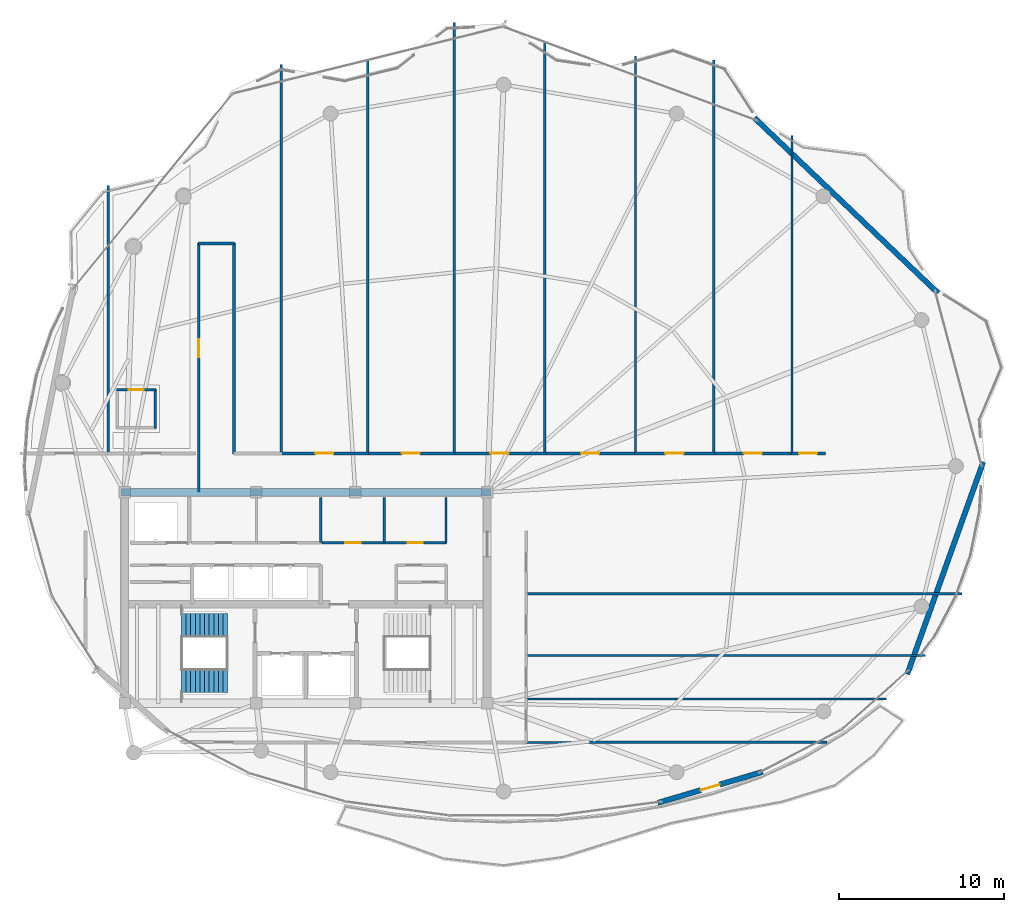
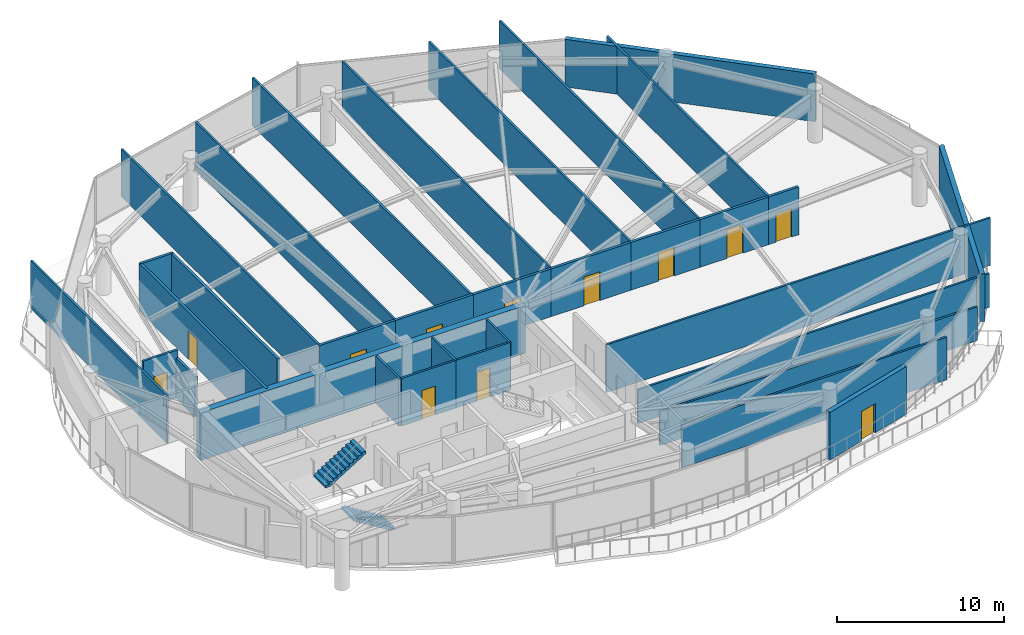
# One storey, part 25 of 29: 33 walls, 12 doors, 2 stair flights, 12 openings, 1 element without a shape of its own.
"""IFC4 building model written with IfcOpenShell, lengths in metres."""

from ifc_helpers import new_model, si_unit, direction, frame, frame_2d, origin, place, context, subcontext, project, spatial, polyline, rectangle, outline, extrude, material, layer, layer_set, type_object, element, fill, aggregate, save


model = new_model("IFC4")

# Units and contexts
model_context = context("Model", 3, precision=1e-05, world=origin(), true_north=direction((0.0, 1.0)))
body_context = subcontext(model_context, "Body", "Model", "MODEL_VIEW")
ifc_project = project(units=[si_unit("LENGTHUNIT", "METRE"), si_unit("AREAUNIT", "SQUARE_METRE"), si_unit("VOLUMEUNIT", "CUBIC_METRE"), si_unit("PLANEANGLEUNIT", "RADIAN"), si_unit("MASSUNIT", "GRAM", prefix="KILO")], contexts=[model_context])

# Site, building, storey
site_placement = place(None, origin())
site = spatial("IfcSite", under=ifc_project, at=site_placement, CompositionType="ELEMENT")
building_placement = place(site_placement, origin())
building = spatial("IfcBuilding", under=site, at=building_placement, Name="Kazevale Care Tower and Concert Hall", CompositionType="ELEMENT")
storey_placement = place(building_placement, frame((0.0, 0.0, 289.0)))
storey = spatial("IfcBuildingStorey", under=building, at=storey_placement, Name="L76", CompositionType="ELEMENT", Elevation=289.0)

# Wall
ifc_material_1 = material(Name="Acoustic Gypsum on Steel Stud", Category="steel")
ifc_layer_1 = layer(ifc_material_1, 0.139892578125)
ifc_layer_set_1 = layer_set([ifc_layer_1], Name="Acoustic Gypsum on Steel Stud")
wall_type_1 = type_object("IfcWallType", Name="Acoustic Care & Suite Partition 140", PredefinedType="PARTITIONING", material=ifc_layer_set_1)
wall_1_placement = place(storey_placement, frame((33.89990234375, 33.35009765625, 0.0), z_axis=(0.0, 0.0, 1.0), x_axis=(0.0, 1.0, 0.0)))
element("IfcWall", 1, at=wall_1_placement, inside=storey, type_object=wall_type_1, Name="wall:L76:c_rpl_e", PredefinedType="PARTITIONING", context=body_context, shape_type="SweptSolid", body=[
    extrude(rectangle(XDim=2.75, YDim=0.139892578125, at=frame_2d((1.375, 0.0))), origin(), (0.0, 0.0, 1.0), 3.47998046875),
])

# Wall, opening, door
wall_2_placement = place(storey_placement, frame((33.97998046875, 33.35009765625, 0.0), z_axis=(0.0, 0.0, 1.0), x_axis=(1.0, 0.0, 0.0)))
wall_2 = element("IfcWall", 2, at=wall_2_placement, inside=storey, type_object=wall_type_1, Name="wall:L76:c_rpm1_s", PredefinedType="PARTITIONING", context=body_context, shape_type="SweptSolid", body=[
    extrude(rectangle(XDim=3.77001953125, YDim=0.139892578125, at=frame_2d((1.885009765625, 0.0))), origin(), (0.0, 0.0, 1.0), 3.47998046875),
])
opening_1_placement = place(wall_2_placement, frame((1.425048828125, 0.0, 0.0)))
opening_1 = element("IfcOpeningElement", 3, at=opening_1_placement, cuts=wall_2, Name="Opening ID-900", PredefinedType="OPENING", context=body_context, shape_type="SweptSolid", body=[
    extrude(rectangle(XDim=0.919921875, YDim=2.10009765625, at=frame_2d((0.4599609375, 1.050048828125))), frame((0.0, 0.079833984375, 0.0), z_axis=(0.0, -1.0, 0.0), x_axis=(1.0, 0.0, 0.0)), (0.0, 0.0, 1.0), 0.159912109375),
])
ifc_material_2 = material(Name="Oak Timber Fire Leaf", Category="wood")
door_type_1 = type_object("IfcDoorType", Name="Bathroom & Service Door 920x2100", OperationType="NOTDEFINED", PredefinedType="DOOR", material=ifc_material_2)
door_1_placement = place(opening_1_placement, origin())
door_1 = element("IfcDoor", 4, at=door_1_placement, inside=storey, type_object=door_type_1, Name="door:L76:d_rpm1", OperationType="SINGLE_SWING_LEFT", OverallHeight=2.10009765625, OverallWidth=0.919921875, PredefinedType="DOOR", context=body_context, shape_type="SweptSolid", body=[
    extrude(rectangle(XDim=0.919921875, YDim=2.10009765625, at=frame_2d((0.4599609375, 1.050048828125))), frame((0.0, 0.02490234375, 0.0), z_axis=(0.0, -1.0, 0.0), x_axis=(1.0, 0.0, 0.0)), (0.0, 0.0, 1.0), 0.050048828125),
])
fill(opening_1, door_1)

wall_3_placement = place(storey_placement, frame((37.75, 33.35009765625, 0.0), z_axis=(0.0, 0.0, 1.0), x_axis=(1.0, 0.0, 0.0)))
wall_3 = element("IfcWall", 5, at=wall_3_placement, inside=storey, type_object=wall_type_1, Name="wall:L76:c_rpm2_s", PredefinedType="PARTITIONING", context=body_context, shape_type="SweptSolid", body=[
    extrude(rectangle(XDim=3.77001953125, YDim=0.139892578125, at=frame_2d((1.885009765625, 0.0))), origin(), (0.0, 0.0, 1.0), 3.47998046875),
])
opening_2_placement = place(wall_3_placement, frame((1.425048828125, 0.0, 0.0)))
opening_2 = element("IfcOpeningElement", 6, at=opening_2_placement, cuts=wall_3, Name="Opening ID-900", PredefinedType="OPENING", context=body_context, shape_type="SweptSolid", body=[
    extrude(rectangle(XDim=0.919921875, YDim=2.10009765625, at=frame_2d((0.4599609375, 1.050048828125))), frame((0.0, 0.079833984375, 0.0), z_axis=(0.0, -1.0, 0.0), x_axis=(1.0, 0.0, 0.0)), (0.0, 0.0, 1.0), 0.159912109375),
])
door_2_placement = place(opening_2_placement, origin())
door_2 = element("IfcDoor", 7, at=door_2_placement, inside=storey, type_object=door_type_1, Name="door:L76:d_rpm2", OperationType="SINGLE_SWING_RIGHT", OverallHeight=2.10009765625, OverallWidth=0.919921875, PredefinedType="DOOR", context=body_context, shape_type="SweptSolid", body=[
    extrude(rectangle(XDim=0.919921875, YDim=2.10009765625, at=frame_2d((0.4599609375, 1.050048828125))), frame((0.0, 0.02490234375, 0.0), z_axis=(0.0, -1.0, 0.0), x_axis=(1.0, 0.0, 0.0)), (0.0, 0.0, 1.0), 0.050048828125),
])
fill(opening_2, door_2)

# Walls
for number, where, z_axis, x_axis, name in (
    (8, (37.75, 33.35009765625, 0.0), (0.0, 0.0, 1.0), (0.0, 1.0, 0.0), "wall:L76:c_rpm_m"),
    (9, (41.5, 33.35009765625, 0.0), (0.0, 0.0, 1.0), (0.0, 1.0, 0.0), "wall:L76:c_rpm_e"),
):
    element("IfcWall", number, at=place(storey_placement, frame(where, z_axis=z_axis, x_axis=x_axis)), inside=storey, type_object=wall_type_1, Name=name, PredefinedType="PARTITIONING", context=body_context, shape_type="SweptSolid", body=[
        extrude(rectangle(XDim=2.75, YDim=0.139892578125, at=frame_2d((1.375, 0.0))), origin(), (0.0, 0.0, 1.0), 3.47998046875),
    ])
wall_4_placement = place(storey_placement, frame((21.0, 55.01904296875, 0.0), z_axis=(0.0, 0.0, 1.0), x_axis=(0.0, -1.0, 0.0)))
element("IfcWall", 10, at=wall_4_placement, inside=storey, type_object=wall_type_1, Name="wall:L76:auto_021", PredefinedType="PARTITIONING", context=body_context, shape_type="SweptSolid", body=[
    extrude(rectangle(XDim=16.27392578125, YDim=0.139892578125, at=frame_2d((8.136962890625, 0.0))), origin(), (0.0, 0.0, 1.0), 3.47998046875),
])
wall_5_placement = place(storey_placement, frame((31.5, 62.37890625, 0.0), z_axis=(0.0, 0.0, 1.0), x_axis=(0.0, -1.0, 0.0)))
element("IfcWall", 11, at=wall_5_placement, inside=storey, type_object=wall_type_1, Name="wall:L76:auto_023", PredefinedType="PARTITIONING", context=body_context, shape_type="SweptSolid", body=[
    extrude(rectangle(XDim=23.6337890625, YDim=0.139892578125, at=frame_2d((11.81689453125, 0.0))), origin(), (0.0, 0.0, 1.0), 3.47998046875),
])
wall_6_placement = place(storey_placement, frame((36.75, 62.62158203125, 0.0), z_axis=(0.0, 0.0, 1.0), x_axis=(0.0, -1.0, 0.0)))
element("IfcWall", 12, at=wall_6_placement, inside=storey, type_object=wall_type_1, Name="wall:L76:auto_024", PredefinedType="PARTITIONING", context=body_context, shape_type="SweptSolid", body=[
    extrude(rectangle(XDim=23.87646484375, YDim=0.139892578125, at=frame_2d((11.938232421875, 0.0))), origin(), (0.0, 0.0, 1.0), 3.47998046875),
])
wall_7_placement = place(storey_placement, frame((42.0, 64.905029296875, 0.0), z_axis=(0.0, 0.0, 1.0), x_axis=(0.0, -1.0, 0.0)))
element("IfcWall", 13, at=wall_7_placement, inside=storey, type_object=wall_type_1, Name="wall:L76:auto_025", PredefinedType="PARTITIONING", context=body_context, shape_type="SweptSolid", body=[
    extrude(rectangle(XDim=26.159912109375, YDim=0.139892578125, at=frame_2d((13.080078125, 0.0))), origin(), (0.0, 0.0, 1.0), 3.47998046875),
])
wall_8_placement = place(storey_placement, frame((47.5, 63.71435546875, 0.0), z_axis=(0.0, 0.0, 1.0), x_axis=(0.0, -1.0, 0.0)))
element("IfcWall", 14, at=wall_8_placement, inside=storey, type_object=wall_type_1, Name="wall:L76:auto_026", PredefinedType="PARTITIONING", context=body_context, shape_type="SweptSolid", body=[
    extrude(rectangle(XDim=24.96923828125, YDim=0.139892578125, at=frame_2d((12.484619140625, 0.0))), origin(), (0.0, 0.0, 1.0), 3.47998046875),
])
wall_9_placement = place(storey_placement, frame((53.0, 62.89208984375, 0.0), z_axis=(0.0, 0.0, 1.0), x_axis=(0.0, -1.0, 0.0)))
element("IfcWall", 15, at=wall_9_placement, inside=storey, type_object=wall_type_1, Name="wall:L76:auto_027", PredefinedType="PARTITIONING", context=body_context, shape_type="SweptSolid", body=[
    extrude(rectangle(XDim=24.14697265625, YDim=0.139892578125, at=frame_2d((12.073486328125, 0.0))), origin(), (0.0, 0.0, 1.0), 3.47998046875),
])
wall_10_placement = place(storey_placement, frame((57.75, 62.653076171875, 0.0), z_axis=(0.0, 0.0, 1.0), x_axis=(0.0, -1.0, 0.0)))
element("IfcWall", 16, at=wall_10_placement, inside=storey, type_object=wall_type_1, Name="wall:L76:auto_028", PredefinedType="PARTITIONING", context=body_context, shape_type="SweptSolid", body=[
    extrude(rectangle(XDim=23.907958984375, YDim=0.139892578125, at=frame_2d((11.9541015625, 0.0))), origin(), (0.0, 0.0, 1.0), 3.47998046875),
])
wall_11_placement = place(storey_placement, frame((62.5, 58.06396484375, 0.0), z_axis=(0.0, 0.0, 1.0), x_axis=(0.0, -1.0, 0.0)))
element("IfcWall", 17, at=wall_11_placement, inside=storey, type_object=wall_type_1, Name="wall:L76:auto_029", PredefinedType="PARTITIONING", context=body_context, shape_type="SweptSolid", body=[
    extrude(rectangle(XDim=19.31884765625, YDim=0.139892578125, at=frame_2d((9.659423828125, 0.0))), origin(), (0.0, 0.0, 1.0), 3.47998046875),
])
wall_12_placement = place(storey_placement, frame((46.344970703125, 23.860107421875, 0.0), z_axis=(0.0, 0.0, 1.0), x_axis=(1.0, 0.0, 0.0)))
element("IfcWall", 18, at=wall_12_placement, inside=storey, type_object=wall_type_1, Name="wall:L76:auto_030", PredefinedType="PARTITIONING", context=body_context, shape_type="SweptSolid", body=[
    extrude(rectangle(XDim=21.89794921875, YDim=0.139892578125, at=frame_2d((10.948974609375, 0.0))), origin(), (0.0, 0.0, 1.0), 2.469970703125),
])
wall_13_placement = place(storey_placement, frame((64.62109375, 21.242919921875, 0.0), z_axis=(0.0, 0.0, 1.0), x_axis=(-0.999999524525, -0.000975166183, 0.0)))
element("IfcWall", 19, at=wall_13_placement, inside=storey, type_object=wall_type_1, Name="wall:L76:auto_031", PredefinedType="PARTITIONING", context=body_context, shape_type="SweptSolid", body=[
    extrude(rectangle(XDim=18.276123046875, YDim=0.139892578125, at=frame_2d((9.13818359375, 0.0))), origin(), (0.0, 0.0, 1.0), 3.115966796875),
])
wall_14_placement = place(storey_placement, frame((46.344970703125, 26.5, 0.0), z_axis=(0.0, 0.0, 1.0), x_axis=(1.0, 0.0, 0.0)))
element("IfcWall", 20, at=wall_14_placement, inside=storey, type_object=wall_type_1, Name="wall:L76:auto_032", PredefinedType="PARTITIONING", context=body_context, shape_type="SweptSolid", body=[
    extrude(rectangle(XDim=24.27099609375, YDim=0.139892578125, at=frame_2d((12.135498046875, 0.0))), origin(), (0.0, 0.0, 1.0), 2.469970703125),
])
wall_15_placement = place(storey_placement, frame((46.344970703125, 30.25, 0.0), z_axis=(0.0, 0.0, 1.0), x_axis=(1.0, 0.0, 0.0)))
element("IfcWall", 21, at=wall_15_placement, inside=storey, type_object=wall_type_1, Name="wall:L76:auto_033", PredefinedType="PARTITIONING", context=body_context, shape_type="SweptSolid", body=[
    extrude(rectangle(XDim=26.489990234375, YDim=0.139892578125, at=frame_2d((13.2451171875, 0.0))), origin(), (0.0, 0.0, 1.0), 3.47998046875),
])
ifc_material_3 = material(Name="Concrete C50", Category="concrete")
ifc_layer_2 = layer(ifc_material_3, 0.449951171875)
ifc_layer_set_2 = layer_set([ifc_layer_2], Name="Concrete C50")
wall_type_2 = type_object("IfcWallType", Name="Core Shear Wall 450 C50", PredefinedType="SHEAR", material=ifc_layer_set_2)
wall_16_placement = place(storey_placement, frame((21.77490234375, 36.39990234375, 0.0), z_axis=(0.0, 0.0, 1.0), x_axis=(1.0, 0.0, 0.0)))
element("IfcWall", 22, at=wall_16_placement, inside=storey, type_object=wall_type_2, Name="wall:L76:core:N", PredefinedType="SHEAR", context=body_context, shape_type="SweptSolid", body=[
    extrude(rectangle(XDim=22.4501953125, YDim=0.449951171875, at=frame_2d((11.22509765625, 0.0))), origin(), (0.0, 0.0, 1.0), 3.47998046875),
])

# Wall, opening, door
ifc_material_4 = material(Name="Concrete C40 and Acoustic Gypsum", Category="concrete")
ifc_layer_3 = layer(ifc_material_4, 0.179931640625)
ifc_layer_set_3 = layer_set([ifc_layer_3], Name="Concrete C40 and Acoustic Gypsum")
wall_type_3 = type_object("IfcWallType", Name="Fire-Rated Corridor & Party Wall 180", PredefinedType="PARTITIONING", material=ifc_layer_set_3)
wall_17_placement = place(storey_placement, frame((26.5, 36.409912109375, 0.0), z_axis=(0.0, 0.0, 1.0), x_axis=(0.0, 1.0, 0.0)))
wall_17 = element("IfcWall", 23, at=wall_17_placement, inside=storey, type_object=wall_type_3, Name="wall:L76:auto_003", PredefinedType="PARTITIONING", context=body_context, shape_type="SweptSolid", body=[
    extrude(rectangle(XDim=15.1201171875, YDim=0.179931640625, at=frame_2d((7.56005859375, 0.0))), origin(), (0.0, 0.0, 1.0), 3.47998046875),
])
opening_3_placement = place(wall_17_placement, frame((8.177978515625, 0.0, 0.0)))
opening_3 = element("IfcOpeningElement", 24, at=opening_3_placement, cuts=wall_17, Name="Opening ID-1100", PredefinedType="OPENING", context=body_context, shape_type="SweptSolid", body=[
    extrude(rectangle(XDim=1.10009765625, YDim=2.10009765625, at=frame_2d((0.550048828125, 1.050048828125))), frame((0.0, 0.099853515625, 0.0), z_axis=(0.0, -1.0, 0.0), x_axis=(1.0, 0.0, 0.0)), (0.0, 0.0, 1.0), 0.199951171875),
])
door_type_2 = type_object("IfcDoorType", Name="Care Bedroom Accessible Door 1100x2100", OperationType="NOTDEFINED", PredefinedType="DOOR", material=ifc_material_2)
door_3_placement = place(opening_3_placement, origin())
door_3 = element("IfcDoor", 25, at=door_3_placement, inside=storey, type_object=door_type_2, Name="door:L76:ad_003", OperationType="SINGLE_SWING_LEFT", OverallHeight=2.10009765625, OverallWidth=1.10009765625, PredefinedType="DOOR", context=body_context, shape_type="SweptSolid", body=[
    extrude(rectangle(XDim=1.10009765625, YDim=2.10009765625, at=frame_2d((0.550048828125, 1.050048828125))), frame((0.0, 0.02490234375, 0.0), z_axis=(0.0, -1.0, 0.0), x_axis=(1.0, 0.0, 0.0)), (0.0, 0.0, 1.0), 0.050048828125),
])
fill(opening_3, door_3)

# Walls
wall_18_placement = place(storey_placement, frame((28.64990234375, 51.530029296875, 0.0), z_axis=(0.0, 0.0, 1.0), x_axis=(0.0, -1.0, 0.0)))
element("IfcWall", 26, at=wall_18_placement, inside=storey, type_object=wall_type_3, Name="wall:L76:auto_004", PredefinedType="PARTITIONING", context=body_context, shape_type="SweptSolid", body=[
    extrude(rectangle(XDim=12.784912109375, YDim=0.179931640625, at=frame_2d((6.392578125, 0.0))), origin(), (0.0, 0.0, 1.0), 3.47998046875),
])
wall_19_placement = place(storey_placement, frame((26.469970703125, 51.5, 0.0), z_axis=(0.0, 0.0, 1.0), x_axis=(1.0, 0.0, 0.0)))
element("IfcWall", 27, at=wall_19_placement, inside=storey, type_object=wall_type_3, Name="wall:L76:auto_006", PredefinedType="PARTITIONING", context=body_context, shape_type="SweptSolid", body=[
    extrude(rectangle(XDim=2.2099609375, YDim=0.179931640625, at=frame_2d((1.10498046875, 0.0))), origin(), (0.0, 0.0, 1.0), 3.47998046875),
])

# Wall, opening, door
wall_20_placement = place(storey_placement, frame((31.43505859375, 38.77490234375, 0.0), z_axis=(0.0, 0.0, 1.0), x_axis=(1.0, 0.0, 0.0)))
wall_20 = element("IfcWall", 28, at=wall_20_placement, inside=storey, type_object=wall_type_3, Name="wall:L76:auto_007", PredefinedType="PARTITIONING", context=body_context, shape_type="SweptSolid", body=[
    extrude(rectangle(XDim=5.3798828125, YDim=0.179931640625, at=frame_2d((2.68994140625, 0.0))), origin(), (0.0, 0.0, 1.0), 3.47998046875),
])
opening_4_placement = place(wall_20_placement, frame((2.139892578125, 0.0, 0.0)))
opening_4 = element("IfcOpeningElement", 29, at=opening_4_placement, cuts=wall_20, Name="Opening ID-1100", PredefinedType="OPENING", context=body_context, shape_type="SweptSolid", body=[
    extrude(rectangle(XDim=1.10009765625, YDim=2.10009765625, at=frame_2d((0.550048828125, 1.050048828125))), frame((0.0, 0.099853515625, 0.0), z_axis=(0.0, -1.0, 0.0), x_axis=(1.0, 0.0, 0.0)), (0.0, 0.0, 1.0), 0.199951171875),
])
door_4_placement = place(opening_4_placement, origin())
door_4 = element("IfcDoor", 30, at=door_4_placement, inside=storey, type_object=door_type_2, Name="door:L76:ad_007", OperationType="SINGLE_SWING_LEFT", OverallHeight=2.10009765625, OverallWidth=1.10009765625, PredefinedType="DOOR", context=body_context, shape_type="SweptSolid", body=[
    extrude(rectangle(XDim=1.10009765625, YDim=2.10009765625, at=frame_2d((0.550048828125, 1.050048828125))), frame((0.0, 0.02490234375, 0.0), z_axis=(0.0, -1.0, 0.0), x_axis=(1.0, 0.0, 0.0)), (0.0, 0.0, 1.0), 0.050048828125),
])
fill(opening_4, door_4)

wall_21_placement = place(storey_placement, frame((36.68505859375, 38.77490234375, 0.0), z_axis=(0.0, 0.0, 1.0), x_axis=(1.0, 0.0, 0.0)))
wall_21 = element("IfcWall", 31, at=wall_21_placement, inside=storey, type_object=wall_type_3, Name="wall:L76:auto_008", PredefinedType="PARTITIONING", context=body_context, shape_type="SweptSolid", body=[
    extrude(rectangle(XDim=5.3798828125, YDim=0.179931640625, at=frame_2d((2.68994140625, 0.0))), origin(), (0.0, 0.0, 1.0), 3.47998046875),
])
opening_5_placement = place(wall_21_placement, frame((2.139892578125, 0.0, 0.0)))
opening_5 = element("IfcOpeningElement", 32, at=opening_5_placement, cuts=wall_21, Name="Opening ID-1100", PredefinedType="OPENING", context=body_context, shape_type="SweptSolid", body=[
    extrude(rectangle(XDim=1.10009765625, YDim=2.10009765625, at=frame_2d((0.550048828125, 1.050048828125))), frame((0.0, 0.099853515625, 0.0), z_axis=(0.0, -1.0, 0.0), x_axis=(1.0, 0.0, 0.0)), (0.0, 0.0, 1.0), 0.199951171875),
])
door_5_placement = place(opening_5_placement, origin())
door_5 = element("IfcDoor", 33, at=door_5_placement, inside=storey, type_object=door_type_2, Name="door:L76:ad_008", OperationType="SINGLE_SWING_LEFT", OverallHeight=2.10009765625, OverallWidth=1.10009765625, PredefinedType="DOOR", context=body_context, shape_type="SweptSolid", body=[
    extrude(rectangle(XDim=1.10009765625, YDim=2.10009765625, at=frame_2d((0.550048828125, 1.050048828125))), frame((0.0, 0.02490234375, 0.0), z_axis=(0.0, -1.0, 0.0), x_axis=(1.0, 0.0, 0.0)), (0.0, 0.0, 1.0), 0.050048828125),
])
fill(opening_5, door_5)

wall_22_placement = place(storey_placement, frame((41.93505859375, 38.77490234375, 0.0), z_axis=(0.0, 0.0, 1.0), x_axis=(1.0, 0.0, 0.0)))
wall_22 = element("IfcWall", 34, at=wall_22_placement, inside=storey, type_object=wall_type_3, Name="wall:L76:auto_009", PredefinedType="PARTITIONING", context=body_context, shape_type="SweptSolid", body=[
    extrude(rectangle(XDim=5.6298828125, YDim=0.179931640625, at=frame_2d((2.81494140625, 0.0))), origin(), (0.0, 0.0, 1.0), 3.47998046875),
])
opening_6_placement = place(wall_22_placement, frame((2.264892578125, 0.0, 0.0)))
opening_6 = element("IfcOpeningElement", 35, at=opening_6_placement, cuts=wall_22, Name="Opening ID-1100", PredefinedType="OPENING", context=body_context, shape_type="SweptSolid", body=[
    extrude(rectangle(XDim=1.10009765625, YDim=2.10009765625, at=frame_2d((0.550048828125, 1.050048828125))), frame((0.0, 0.099853515625, 0.0), z_axis=(0.0, -1.0, 0.0), x_axis=(1.0, 0.0, 0.0)), (0.0, 0.0, 1.0), 0.199951171875),
])
door_6_placement = place(opening_6_placement, origin())
door_6 = element("IfcDoor", 36, at=door_6_placement, inside=storey, type_object=door_type_2, Name="door:L76:ad_009", OperationType="SINGLE_SWING_LEFT", OverallHeight=2.10009765625, OverallWidth=1.10009765625, PredefinedType="DOOR", context=body_context, shape_type="SweptSolid", body=[
    extrude(rectangle(XDim=1.10009765625, YDim=2.10009765625, at=frame_2d((0.550048828125, 1.050048828125))), frame((0.0, 0.02490234375, 0.0), z_axis=(0.0, -1.0, 0.0), x_axis=(1.0, 0.0, 0.0)), (0.0, 0.0, 1.0), 0.050048828125),
])
fill(opening_6, door_6)

wall_23_placement = place(storey_placement, frame((47.43505859375, 38.77490234375, 0.0), z_axis=(0.0, 0.0, 1.0), x_axis=(1.0, 0.0, 0.0)))
wall_23 = element("IfcWall", 37, at=wall_23_placement, inside=storey, type_object=wall_type_3, Name="wall:L76:auto_010", PredefinedType="PARTITIONING", context=body_context, shape_type="SweptSolid", body=[
    extrude(rectangle(XDim=5.6298828125, YDim=0.179931640625, at=frame_2d((2.81494140625, 0.0))), origin(), (0.0, 0.0, 1.0), 3.47998046875),
])
opening_7_placement = place(wall_23_placement, frame((2.264892578125, 0.0, 0.0)))
opening_7 = element("IfcOpeningElement", 38, at=opening_7_placement, cuts=wall_23, Name="Opening ID-1100", PredefinedType="OPENING", context=body_context, shape_type="SweptSolid", body=[
    extrude(rectangle(XDim=1.10009765625, YDim=2.10009765625, at=frame_2d((0.550048828125, 1.050048828125))), frame((0.0, 0.099853515625, 0.0), z_axis=(0.0, -1.0, 0.0), x_axis=(1.0, 0.0, 0.0)), (0.0, 0.0, 1.0), 0.199951171875),
])
door_7_placement = place(opening_7_placement, origin())
door_7 = element("IfcDoor", 39, at=door_7_placement, inside=storey, type_object=door_type_2, Name="door:L76:ad_010", OperationType="SINGLE_SWING_LEFT", OverallHeight=2.10009765625, OverallWidth=1.10009765625, PredefinedType="DOOR", context=body_context, shape_type="SweptSolid", body=[
    extrude(rectangle(XDim=1.10009765625, YDim=2.10009765625, at=frame_2d((0.550048828125, 1.050048828125))), frame((0.0, 0.02490234375, 0.0), z_axis=(0.0, -1.0, 0.0), x_axis=(1.0, 0.0, 0.0)), (0.0, 0.0, 1.0), 0.050048828125),
])
fill(opening_7, door_7)

wall_24_placement = place(storey_placement, frame((52.93505859375, 38.77490234375, 0.0), z_axis=(0.0, 0.0, 1.0), x_axis=(1.0, 0.0, 0.0)))
wall_24 = element("IfcWall", 40, at=wall_24_placement, inside=storey, type_object=wall_type_3, Name="wall:L76:auto_011", PredefinedType="PARTITIONING", context=body_context, shape_type="SweptSolid", body=[
    extrude(rectangle(XDim=4.8798828125, YDim=0.179931640625, at=frame_2d((2.43994140625, 0.0))), origin(), (0.0, 0.0, 1.0), 3.47998046875),
])
opening_8_placement = place(wall_24_placement, frame((1.889892578125, 0.0, 0.0)))
opening_8 = element("IfcOpeningElement", 41, at=opening_8_placement, cuts=wall_24, Name="Opening ID-1100", PredefinedType="OPENING", context=body_context, shape_type="SweptSolid", body=[
    extrude(rectangle(XDim=1.10009765625, YDim=2.10009765625, at=frame_2d((0.550048828125, 1.050048828125))), frame((0.0, 0.099853515625, 0.0), z_axis=(0.0, -1.0, 0.0), x_axis=(1.0, 0.0, 0.0)), (0.0, 0.0, 1.0), 0.199951171875),
])
door_8_placement = place(opening_8_placement, origin())
door_8 = element("IfcDoor", 42, at=door_8_placement, inside=storey, type_object=door_type_2, Name="door:L76:ad_011", OperationType="SINGLE_SWING_LEFT", OverallHeight=2.10009765625, OverallWidth=1.10009765625, PredefinedType="DOOR", context=body_context, shape_type="SweptSolid", body=[
    extrude(rectangle(XDim=1.10009765625, YDim=2.10009765625, at=frame_2d((0.550048828125, 1.050048828125))), frame((0.0, 0.02490234375, 0.0), z_axis=(0.0, -1.0, 0.0), x_axis=(1.0, 0.0, 0.0)), (0.0, 0.0, 1.0), 0.050048828125),
])
fill(opening_8, door_8)

wall_25_placement = place(storey_placement, frame((57.68505859375, 38.77490234375, 0.0), z_axis=(0.0, 0.0, 1.0), x_axis=(1.0, 0.0, 0.0)))
wall_25 = element("IfcWall", 43, at=wall_25_placement, inside=storey, type_object=wall_type_3, Name="wall:L76:auto_012", PredefinedType="PARTITIONING", context=body_context, shape_type="SweptSolid", body=[
    extrude(rectangle(XDim=4.8798828125, YDim=0.179931640625, at=frame_2d((2.43994140625, 0.0))), origin(), (0.0, 0.0, 1.0), 3.47998046875),
])
opening_9_placement = place(wall_25_placement, frame((1.889892578125, 0.0, 0.0)))
opening_9 = element("IfcOpeningElement", 44, at=opening_9_placement, cuts=wall_25, Name="Opening ID-1100", PredefinedType="OPENING", context=body_context, shape_type="SweptSolid", body=[
    extrude(rectangle(XDim=1.10009765625, YDim=2.10009765625, at=frame_2d((0.550048828125, 1.050048828125))), frame((0.0, 0.099853515625, 0.0), z_axis=(0.0, -1.0, 0.0), x_axis=(1.0, 0.0, 0.0)), (0.0, 0.0, 1.0), 0.199951171875),
])
door_9_placement = place(opening_9_placement, origin())
door_9 = element("IfcDoor", 45, at=door_9_placement, inside=storey, type_object=door_type_2, Name="door:L76:ad_012", OperationType="SINGLE_SWING_LEFT", OverallHeight=2.10009765625, OverallWidth=1.10009765625, PredefinedType="DOOR", context=body_context, shape_type="SweptSolid", body=[
    extrude(rectangle(XDim=1.10009765625, YDim=2.10009765625, at=frame_2d((0.550048828125, 1.050048828125))), frame((0.0, 0.02490234375, 0.0), z_axis=(0.0, -1.0, 0.0), x_axis=(1.0, 0.0, 0.0)), (0.0, 0.0, 1.0), 0.050048828125),
])
fill(opening_9, door_9)

wall_26_placement = place(storey_placement, frame((62.43505859375, 38.77490234375, 0.0), z_axis=(0.0, 0.0, 1.0), x_axis=(1.0, 0.0, 0.0)))
wall_26 = element("IfcWall", 46, at=wall_26_placement, inside=storey, type_object=wall_type_3, Name="wall:L76:auto_013", PredefinedType="PARTITIONING", context=body_context, shape_type="SweptSolid", body=[
    extrude(rectangle(XDim=2.094970703125, YDim=0.179931640625, at=frame_2d((1.04736328125, 0.0))), origin(), (0.0, 0.0, 1.0), 3.47998046875),
])
opening_10_placement = place(wall_26_placement, frame((0.498046875, 0.0, 0.0)))
opening_10 = element("IfcOpeningElement", 47, at=opening_10_placement, cuts=wall_26, Name="Opening ID-1100", PredefinedType="OPENING", context=body_context, shape_type="SweptSolid", body=[
    extrude(rectangle(XDim=1.10009765625, YDim=2.10009765625, at=frame_2d((0.550048828125, 1.050048828125))), frame((0.0, 0.099853515625, 0.0), z_axis=(0.0, -1.0, 0.0), x_axis=(1.0, 0.0, 0.0)), (0.0, 0.0, 1.0), 0.199951171875),
])
door_10_placement = place(opening_10_placement, origin())
door_10 = element("IfcDoor", 48, at=door_10_placement, inside=storey, type_object=door_type_2, Name="door:L76:ad_013", OperationType="SINGLE_SWING_LEFT", OverallHeight=2.10009765625, OverallWidth=1.10009765625, PredefinedType="DOOR", context=body_context, shape_type="SweptSolid", body=[
    extrude(rectangle(XDim=1.10009765625, YDim=2.10009765625, at=frame_2d((0.550048828125, 1.050048828125))), frame((0.0, 0.02490234375, 0.0), z_axis=(0.0, -1.0, 0.0), x_axis=(1.0, 0.0, 0.0)), (0.0, 0.0, 1.0), 0.050048828125),
])
fill(opening_10, door_10)

ifc_layer_4 = layer(ifc_material_1, 0.159912109375)
ifc_layer_set_4 = layer_set([ifc_layer_4], Name="Acoustic Gypsum on Steel Stud")
wall_type_4 = type_object("IfcWallType", Name="Moisture-Resistant Bathroom Plumbing Wall 160", PredefinedType="PLUMBINGWALL", material=ifc_layer_set_4)
wall_27_placement = place(storey_placement, frame((21.510009765625, 42.625, 0.0), z_axis=(0.0, 0.0, 1.0), x_axis=(1.0, 0.0, 0.0)))
wall_27 = element("IfcWall", 49, at=wall_27_placement, inside=storey, type_object=wall_type_4, Name="wall:L76:nb2a_ens_wn", PredefinedType="PLUMBINGWALL", context=body_context, shape_type="SweptSolid", body=[
    extrude(rectangle(XDim=2.3798828125, YDim=0.159912109375, at=frame_2d((1.18994140625, 0.0))), origin(), (0.0, 0.0, 1.0), 3.47998046875),
])
opening_11_placement = place(wall_27_placement, frame((0.739990234375, 0.0, 0.0)))
opening_11 = element("IfcOpeningElement", 50, at=opening_11_placement, cuts=wall_27, Name="Opening ID-900", PredefinedType="OPENING", context=body_context, shape_type="SweptSolid", body=[
    extrude(rectangle(XDim=0.919921875, YDim=2.10009765625, at=frame_2d((0.4599609375, 1.050048828125))), frame((0.0, 0.08984375, 0.0), z_axis=(0.0, -1.0, 0.0), x_axis=(1.0, 0.0, 0.0)), (0.0, 0.0, 1.0), 0.179931640625),
])
door_11_placement = place(opening_11_placement, origin())
door_11 = element("IfcDoor", 51, at=door_11_placement, inside=storey, type_object=door_type_1, Name="door:L76:nb2a_ens_d", OperationType="SINGLE_SWING_LEFT", OverallHeight=2.10009765625, OverallWidth=0.919921875, PredefinedType="DOOR", context=body_context, shape_type="SweptSolid", body=[
    extrude(rectangle(XDim=0.919921875, YDim=2.10009765625, at=frame_2d((0.4599609375, 1.050048828125))), frame((0.0, 0.02490234375, 0.0), z_axis=(0.0, -1.0, 0.0), x_axis=(1.0, 0.0, 0.0)), (0.0, 0.0, 1.0), 0.050048828125),
])
fill(opening_11, door_11)

# Walls
wall_28_placement = place(storey_placement, frame((23.85009765625, 40.284912109375, 0.0), z_axis=(0.0, 0.0, 1.0), x_axis=(0.0, 1.0, 0.0)))
element("IfcWall", 52, at=wall_28_placement, inside=storey, type_object=wall_type_4, Name="wall:L76:nb2a_ens_we", PredefinedType="PLUMBINGWALL", context=body_context, shape_type="SweptSolid", body=[
    extrude(rectangle(XDim=2.380126953125, YDim=0.159912109375, at=frame_2d((1.18994140625, 0.0))), origin(), (0.0, 0.0, 1.0), 2.926025390625),
])
ifc_material_5 = material(Name="Concrete C40 with Honed Limestone Cladding", Category="masonry")
ifc_layer_5 = layer(ifc_material_5, 0.320068359375)
ifc_layer_set_5 = layer_set([ifc_layer_5], Name="Concrete C40 with Honed Limestone Cladding")
wall_type_5 = type_object("IfcWallType", Name="Tower Honed Limestone Spandrel Wall 320", PredefinedType="STANDARD", material=ifc_layer_set_5)
wall_29_placement = place(storey_placement, frame((74.10791015625, 38.2451171875, 0.0), z_axis=(0.0, 0.0, 1.0), x_axis=(-0.337073777429, -0.941478235845, 0.0)))
element("IfcWall", 53, at=wall_29_placement, inside=storey, type_object=wall_type_5, Name="wall:cw:L76:f01", PredefinedType="STANDARD", context=body_context, shape_type="SweptSolid", body=[
    extrude(rectangle(XDim=13.67333984375, YDim=0.320068359375, at=frame_2d((6.836669921875, 0.0))), origin(), (0.0, 0.0, 1.0), 3.47998046875),
])

# Wall, opening, door
wall_30_placement = place(storey_placement, frame((60.718017578125, 19.43896484375, 0.0), z_axis=(0.0, 0.0, 1.0), x_axis=(-0.959026574291, -0.283316130503, 0.0)))
wall_30 = element("IfcWall", 54, at=wall_30_placement, inside=storey, type_object=wall_type_5, Name="wall:L76:bal_host", PredefinedType="STANDARD", context=body_context, shape_type="SweptSolid", body=[
    extrude(rectangle(XDim=6.6318359375, YDim=0.320068359375, at=frame_2d((3.31591796875, 0.0))), origin(), (0.0, 0.0, 1.0), 3.47998046875),
])
opening_12_placement = place(wall_30_placement, frame((2.716064453125, 0.0, 0.0)))
opening_12 = element("IfcOpeningElement", 55, at=opening_12_placement, cuts=wall_30, Name="Opening BD-1200", PredefinedType="OPENING", context=body_context, shape_type="SweptSolid", body=[
    extrude(rectangle(XDim=1.199951171875, YDim=2.14990234375, at=frame_2d((0.60009765625, 1.074951171875))), frame((0.0, 0.169921875, 0.0), z_axis=(0.0, -1.0, 0.0), x_axis=(1.0, 0.0, 0.0)), (0.0, 0.0, 1.0), 0.340087890625),
])
ifc_material_6 = material(Name="Aluminium 6063-T6 and Low-E Glass", Category="aluminium")
door_type_3 = type_object("IfcDoorType", Name="Sheltered Balcony Glazed Door 1200x2150", OperationType="NOTDEFINED", PredefinedType="DOOR", material=ifc_material_6)
door_12_placement = place(opening_12_placement, origin())
door_12 = element("IfcDoor", 56, at=door_12_placement, inside=storey, type_object=door_type_3, Name="door:L76:BD-1", OperationType="SINGLE_SWING_LEFT", OverallHeight=2.14990234375, OverallWidth=1.199951171875, PredefinedType="DOOR", context=body_context, shape_type="SweptSolid", body=[
    extrude(rectangle(XDim=1.199951171875, YDim=2.14990234375, at=frame_2d((0.60009765625, 1.074951171875))), frame((0.0, 0.02490234375, 0.0), z_axis=(0.0, -1.0, 0.0), x_axis=(1.0, 0.0, 0.0)), (0.0, 0.0, 1.0), 0.050048828125),
])
fill(opening_12, door_12)

# Wall
wall_31_placement = place(storey_placement, frame((60.218994140625, 59.1298828125, 0.0), z_axis=(0.0, 0.0, 1.0), x_axis=(0.723493659852, -0.690331025056, 0.0)))
element("IfcWall", 57, at=wall_31_placement, inside=storey, type_object=wall_type_5, Name="wall:cw:L76:f17", PredefinedType="STANDARD", context=body_context, shape_type="SweptSolid", body=[
    extrude(rectangle(XDim=15.408447265625, YDim=0.320068359375, at=frame_2d((7.7041015625, 0.0))), origin(), (0.0, 0.0, 1.0), 3.47998046875),
])

# Stair, stair flights
ifc_material_7 = material(Name="Concrete C40", Category="concrete")
stair_type = type_object("IfcStairType", Name="Exit Stair Assembly ST1-U", PredefinedType="HALF_TURN_STAIR", material=ifc_material_7)
stair_placement = place(storey_placement, origin())
stair = element("IfcStair", 58, at=stair_placement, inside=storey, type_object=stair_type, Name="stair:L76:ST1", PredefinedType="HALF_TURN_STAIR")
ifc_layer_6 = layer(ifc_material_7, 0.159912109375)
ifc_layer_set_6 = layer_set([ifc_layer_6], Name="Concrete C40")
stair_flight_type = type_object("IfcStairFlightType", Name="Exit Stair Flight ST1-U", PredefinedType="STRAIGHT", material=ifc_layer_set_6)
stair_flight_1_placement = place(storey_placement, frame((28.25, 24.969970703125, 0.0), z_axis=(0.0, 0.0, 1.0), x_axis=(-1.0, 0.0, 0.0)))
stair_flight_1 = element("IfcStairFlight", 59, at=stair_flight_1_placement, type_object=stair_flight_type, Name="ST1-U flight 1", NumberOfRisers=11, NumberOfTreads=10, PredefinedType="STRAIGHT", RiserHeight=0.172727, TreadLength=0.28, context=body_context, shape_type="SweptSolid", body=[
    extrude(outline(polyline([(0.0, 0.0), (0.0, 0.172607421875), (0.280029296875, 0.172607421875), (0.280029296875, 0.345458984375), (0.56005859375, 0.345458984375), (0.56005859375, 0.51806640625), (0.840087890625, 0.51806640625), (0.840087890625, 0.69091796875), (1.1201171875, 0.69091796875), (1.1201171875, 0.863525390625), (1.39990234375, 0.863525390625), (1.39990234375, 1.036376953125), (1.679931640625, 1.036376953125), (1.679931640625, 1.208984375), (1.9599609375, 1.208984375), (1.9599609375, 1.3818359375), (2.239990234375, 1.3818359375), (2.239990234375, 1.554443359375), (2.52001953125, 1.554443359375), (2.52001953125, 1.727294921875), (2.800048828125, 1.727294921875), (2.800048828125, 1.89990234375), (2.800048828125, 1.539306640625), (0.3046875, 0.0), (0.0, 0.0)])), frame((0.0, 0.719970703125, 0.0), z_axis=(0.0, -1.0, 0.0), x_axis=(1.0, 0.0, 0.0)), (0.0, 0.0, 1.0), 1.43994140625),
])
stair_flight_2_placement = place(storey_placement, frame((25.449951171875, 28.330078125, 1.89990234375), z_axis=(0.0, 0.0, 1.0), x_axis=(1.0, 0.0, 0.0)))
stair_flight_2 = element("IfcStairFlight", 60, at=stair_flight_2_placement, type_object=stair_flight_type, Name="ST1-U flight 2", NumberOfRisers=11, NumberOfTreads=10, PredefinedType="STRAIGHT", RiserHeight=0.172727, TreadLength=0.28, context=body_context, shape_type="SweptSolid", body=[
    extrude(outline(polyline([(0.0, 0.0), (0.0, 0.172607421875), (0.280029296875, 0.172607421875), (0.280029296875, 0.345458984375), (0.56005859375, 0.345458984375), (0.56005859375, 0.51806640625), (0.840087890625, 0.51806640625), (0.840087890625, 0.69091796875), (1.1201171875, 0.69091796875), (1.1201171875, 0.863525390625), (1.39990234375, 0.863525390625), (1.39990234375, 1.036376953125), (1.679931640625, 1.036376953125), (1.679931640625, 1.208984375), (1.9599609375, 1.208984375), (1.9599609375, 1.3818359375), (2.239990234375, 1.3818359375), (2.239990234375, 1.554443359375), (2.52001953125, 1.554443359375), (2.52001953125, 1.727294921875), (2.800048828125, 1.727294921875), (2.800048828125, 1.89990234375), (2.800048828125, 1.539306640625), (0.3046875, 0.0), (0.0, 0.0)])), frame((0.0, 0.719970703125, 0.0), z_axis=(0.0, -1.0, 0.0), x_axis=(1.0, 0.0, 0.0)), (0.0, 0.0, 1.0), 1.43994140625),
])
aggregate(stair, [stair_flight_1, stair_flight_2])

save(model, "model.ifc")
